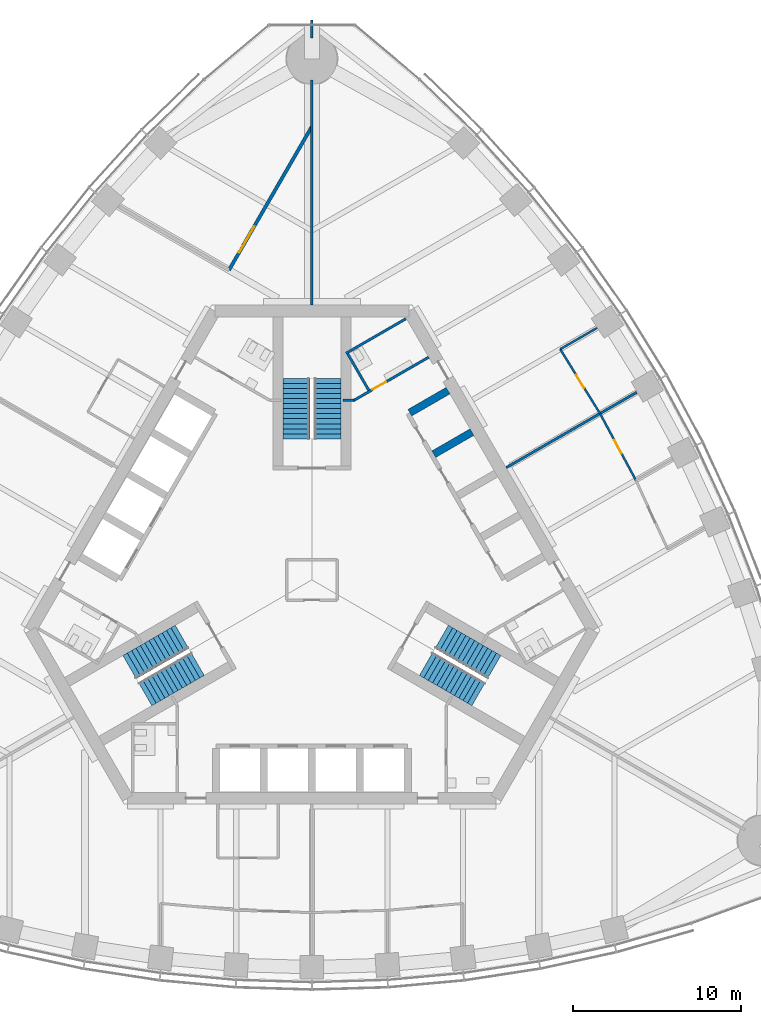
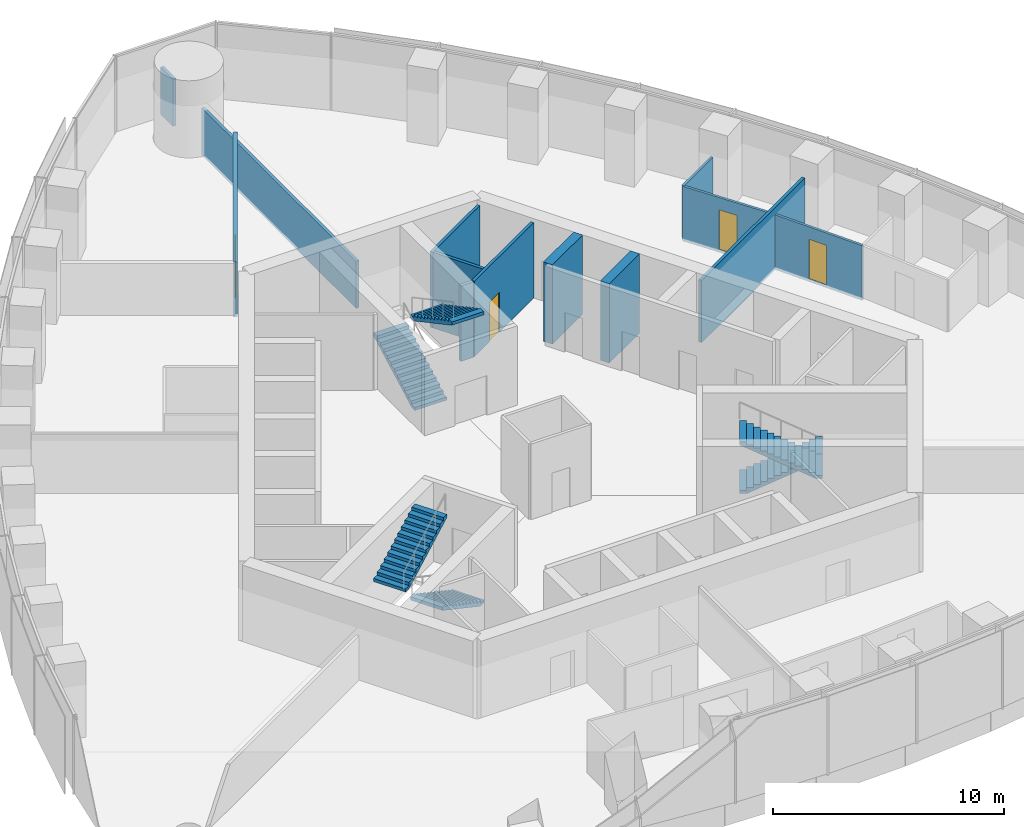
# One storey, part 10 of 15: 13 walls, 6 stair flights, 4 doors, 4 openings, 3 elements without a shape of their own.
"""IFC4 building model written with IfcOpenShell, lengths in metres."""

from ifc_helpers import new_model, si_unit, direction, frame, frame_2d, origin, place, context, subcontext, project, spatial, polyline, rectangle, outline, extrude, material, layer, layer_set, type_object, element, fill, aggregate, save


model = new_model("IFC4")

# Units and contexts
model_context = context("Model", 3, precision=1e-05, world=origin(), true_north=direction((0.0, 1.0)))
body_context = subcontext(model_context, "Body", "Model", "MODEL_VIEW")
ifc_project = project(units=[si_unit("LENGTHUNIT", "METRE"), si_unit("AREAUNIT", "SQUARE_METRE"), si_unit("VOLUMEUNIT", "CUBIC_METRE"), si_unit("PLANEANGLEUNIT", "RADIAN"), si_unit("MASSUNIT", "GRAM", prefix="KILO")], contexts=[model_context])

# Site, building, storey
site_placement = place(None, origin())
site = spatial("IfcSite", under=ifc_project, at=site_placement, CompositionType="ELEMENT")
building_placement = place(site_placement, origin())
building = spatial("IfcBuilding", under=site, at=building_placement, Name="Trefoil Bronze Tower", CompositionType="ELEMENT")
storey_placement = place(building_placement, frame((0.0, 0.0, 288.89990234375)))
storey = spatial("IfcBuildingStorey", under=building, at=storey_placement, Name="L66", CompositionType="ELEMENT", Elevation=288.89990234375)

# Wall, opening, door
ifc_material_1 = material(Name="Gypsum board on steel studs", Category="steel")
ifc_layer_1 = layer(ifc_material_1, 0.199951171875)
ifc_layer_set_1 = layer_set([ifc_layer_1], Name="Acoustic partition 200")
wall_type_1 = type_object("IfcWallType", Name="Acoustic partition 200", PredefinedType="PARTITIONING", material=ifc_layer_set_1)
wall_1_placement = place(storey_placement, frame((-4.9326171875, 18.436279296875, 0.0), z_axis=(0.0, 0.0, 1.0), x_axis=(0.500003655525, 0.866023293256, 0.0)))
wall_1 = element("IfcWall", 1, at=wall_1_placement, inside=storey, type_object=wall_type_1, Name="Partition F3 L66", PredefinedType="PARTITIONING", context=body_context, shape_type="SweptSolid", body=[
    extrude(rectangle(XDim=9.84521484375, YDim=0.199951171875, at=frame_2d((4.922607421875, 0.0))), origin(), (0.0, 0.0, 1.0), 2.900146484375),
])
opening_1_placement = place(wall_1_placement, frame((1.199951171875, 0.0, 0.14990234375)))
opening_1 = element("IfcOpeningElement", 2, at=opening_1_placement, cuts=wall_1, Name="Opening D10", PredefinedType="OPENING", context=body_context, shape_type="SweptSolid", body=[
    extrude(rectangle(XDim=1.800048828125, YDim=2.10009765625, at=frame_2d((0.89990234375, 1.050048828125))), frame((0.0, 0.10986328125, 0.0), z_axis=(0.0, -1.0, 0.0), x_axis=(1.0, 0.0, 0.0)), (0.0, 0.0, 1.0), 0.219970703125),
])
ifc_material_2 = material(Name="Timber door", Category="wood")
door_type_1 = type_object("IfcDoorType", Name="Double door 1800", OperationType="DOUBLE_DOOR_SINGLE_SWING", PredefinedType="DOOR", material=ifc_material_2)
door_1_placement = place(opening_1_placement, origin())
door_1 = element("IfcDoor", 3, at=door_1_placement, inside=storey, type_object=door_type_1, Name="Boardroom door F3 L66", OperationType="DOUBLE_DOOR_SINGLE_SWING", OverallHeight=2.10009765625, OverallWidth=1.800048828125, PredefinedType="DOOR", context=body_context, shape_type="SweptSolid", body=[
    extrude(rectangle(XDim=1.800048828125, YDim=2.10009765625, at=frame_2d((0.89990234375, 1.050048828125))), frame((0.0, 0.02490234375, 0.0), z_axis=(0.0, -1.0, 0.0), x_axis=(1.0, 0.0, 0.0)), (0.0, 0.0, 1.0), 0.050048828125),
])
fill(opening_1, door_1)

ifc_material_3 = material(Name="Glazed partition", Category="glass")
ifc_layer_2 = layer(ifc_material_3, 0.1201171875)
ifc_layer_set_2 = layer_set([ifc_layer_2], Name="Glazed partition 120")
wall_type_2 = type_object("IfcWallType", Name="Glazed partition 120", PredefinedType="PARTITIONING", material=ifc_layer_set_2)
wall_2_placement = place(storey_placement, frame((17.148681640625, 9.90087890625, 0.0), z_axis=(0.0, 0.0, 1.0), x_axis=(-0.525981173851, 0.850496210899, 0.0)))
wall_2 = element("IfcWall", 4, at=wall_2_placement, inside=storey, type_object=wall_type_2, Name="Partition F2 L66", PredefinedType="PARTITIONING", context=body_context, shape_type="SweptSolid", body=[
    extrude(rectangle(XDim=4.501953125, YDim=0.1201171875, at=frame_2d((2.2509765625, 0.0))), origin(), (0.0, 0.0, 1.0), 2.900146484375),
])
opening_2_placement = place(wall_2_placement, frame((1.800048828125, 0.0, 0.14990234375)))
opening_2 = element("IfcOpeningElement", 5, at=opening_2_placement, cuts=wall_2, Name="Opening D8", PredefinedType="OPENING", context=body_context, shape_type="SweptSolid", body=[
    extrude(rectangle(XDim=0.89990234375, YDim=2.10009765625, at=frame_2d((0.449951171875, 1.050048828125))), frame((0.0, 0.070068359375, 0.0), z_axis=(0.0, -1.0, 0.0), x_axis=(1.0, 0.0, 0.0)), (0.0, 0.0, 1.0), 0.14013671875),
])
ifc_material_4 = material(Name="Timber door", Category="wood")
door_type_2 = type_object("IfcDoorType", Name="Office door 900", OperationType="SINGLE_SWING_LEFT", PredefinedType="DOOR", material=ifc_material_4)
door_2_placement = place(opening_2_placement, frame((0.89990234375, 0.0, 0.0), z_axis=(0.0, 0.0, 1.0), x_axis=(-1.0, 0.0, 0.0)))
door_2 = element("IfcDoor", 6, at=door_2_placement, inside=storey, type_object=door_type_2, Name="Office door F2 L66", OperationType="SINGLE_SWING_RIGHT", OverallHeight=2.10009765625, OverallWidth=0.89990234375, PredefinedType="DOOR", context=body_context, shape_type="SweptSolid", body=[
    extrude(rectangle(XDim=0.89990234375, YDim=2.10009765625, at=frame_2d((0.449951171875, 1.050048828125))), frame((0.0, 0.02490234375, 0.0), z_axis=(0.0, -1.0, 0.0), x_axis=(1.0, 0.0, 0.0)), (0.0, 0.0, 1.0), 0.050048828125),
])
fill(opening_2, door_2)

wall_3_placement = place(storey_placement, frame((19.28076171875, 5.935546875, 0.0), z_axis=(0.0, 0.0, 1.0), x_axis=(-0.473566170147, 0.880758242932, 0.0)))
wall_3 = element("IfcWall", 7, at=wall_3_placement, inside=storey, type_object=wall_type_2, Name="Partition F2 L66", PredefinedType="PARTITIONING", context=body_context, shape_type="SweptSolid", body=[
    extrude(rectangle(XDim=4.502197265625, YDim=0.1201171875, at=frame_2d((2.2509765625, 0.0))), origin(), (0.0, 0.0, 1.0), 2.900146484375),
])
opening_3_placement = place(wall_3_placement, frame((1.800048828125, 0.0, 0.14990234375)))
opening_3 = element("IfcOpeningElement", 8, at=opening_3_placement, cuts=wall_3, Name="Opening D8", PredefinedType="OPENING", context=body_context, shape_type="SweptSolid", body=[
    extrude(rectangle(XDim=0.89990234375, YDim=2.10009765625, at=frame_2d((0.449951171875, 1.050048828125))), frame((0.0, 0.070068359375, 0.0), z_axis=(0.0, -1.0, 0.0), x_axis=(1.0, 0.0, 0.0)), (0.0, 0.0, 1.0), 0.14013671875),
])
door_3_placement = place(opening_3_placement, frame((0.89990234375, 0.0, 0.0), z_axis=(0.0, 0.0, 1.0), x_axis=(-1.0, 0.0, 0.0)))
door_3 = element("IfcDoor", 9, at=door_3_placement, inside=storey, type_object=door_type_2, Name="Office door F2 L66", OperationType="SINGLE_SWING_RIGHT", OverallHeight=2.10009765625, OverallWidth=0.89990234375, PredefinedType="DOOR", context=body_context, shape_type="SweptSolid", body=[
    extrude(rectangle(XDim=0.89990234375, YDim=2.10009765625, at=frame_2d((0.449951171875, 1.050048828125))), frame((0.0, 0.02490234375, 0.0), z_axis=(0.0, -1.0, 0.0), x_axis=(1.0, 0.0, 0.0)), (0.0, 0.0, 1.0), 0.050048828125),
])
fill(opening_3, door_3)

# Walls
wall_4_placement = place(storey_placement, frame((14.78076171875, 13.729736328125, 0.0), z_axis=(0.0, 0.0, 1.0), x_axis=(0.866032146685, 0.499988320771, 0.0)))
element("IfcWall", 10, at=wall_4_placement, inside=storey, type_object=wall_type_2, Name="Partition F2 L66", PredefinedType="PARTITIONING", context=body_context, shape_type="SweptSolid", body=[
    extrude(rectangle(XDim=2.51708984375, YDim=0.1201171875, at=frame_2d((1.258544921875, 0.0))), origin(), (0.0, 0.0, 1.0), 2.900146484375),
])
ifc_material_5 = material(Name="Concrete B80", Category="concrete")
ifc_layer_3 = layer(ifc_material_5, 0.449951171875)
ifc_layer_set_3 = layer_set([ifc_layer_3], Name="Outrigger shaft wall 450")
wall_type_3 = type_object("IfcWallType", Name="Outrigger shaft wall 450", PredefinedType="SHEAR", material=ifc_layer_set_3)
for number, where, z_axis, x_axis, name in (
    (11, (7.2568359375, 7.480712890625, 0.0), (0.0, 0.0, 1.0), (0.866036909293, 0.499980071345, 0.0), "Lift shaft side wall B3 L66"),
    (12, (5.831787109375, 9.94873046875, 0.0), (0.0, 0.0, 1.0), (0.866036909293, 0.499980071345, 0.0), "Lift shaft side wall B4 L66"),
):
    element("IfcWall", number, at=place(storey_placement, frame(where, z_axis=z_axis, x_axis=x_axis)), inside=storey, type_object=wall_type_3, Name=name, PredefinedType="SHEAR", context=body_context, shape_type="SweptSolid", body=[
        extrude(rectangle(XDim=2.625, YDim=0.449951171875, at=frame_2d((1.3125, 0.0))), origin(), (0.0, 0.0, 1.0), 4.2001953125),
    ])

# Wall, opening, door
ifc_material_6 = material(Name="Gypsum board on steel studs", Category="steel")
ifc_layer_4 = layer(ifc_material_6, 0.14990234375)
ifc_layer_set_4 = layer_set([ifc_layer_4], Name="Partition 150")
wall_type_4 = type_object("IfcWallType", Name="Partition 150", PredefinedType="PARTITIONING", material=ifc_layer_set_4)
wall_5_placement = place(storey_placement, frame((2.4951171875, 10.67822265625, 0.0), z_axis=(0.0, 0.0, 1.0), x_axis=(0.866037967349, 0.499978238636, 0.0)))
wall_5 = element("IfcWall", 13, at=wall_5_placement, inside=storey, type_object=wall_type_4, Name="Passage wall F2+ L66", PredefinedType="PARTITIONING", context=body_context, shape_type="SweptSolid", body=[
    extrude(rectangle(XDim=5.150146484375, YDim=0.14990234375, at=frame_2d((2.5751953125, 0.0))), origin(), (0.0, 0.0, 1.0), 4.0),
])
opening_4_placement = place(wall_5_placement, frame((1.300048828125, 0.0, 0.0)))
opening_4 = element("IfcOpeningElement", 14, at=opening_4_placement, cuts=wall_5, Name="Opening D3", PredefinedType="OPENING", context=body_context, shape_type="SweptSolid", body=[
    extrude(rectangle(XDim=0.89990234375, YDim=2.10009765625, at=frame_2d((0.449951171875, 1.050048828125))), frame((0.0, 0.0849609375, 0.0), z_axis=(0.0, -1.0, 0.0), x_axis=(1.0, 0.0, 0.0)), (0.0, 0.0, 1.0), 0.169921875),
])
ifc_material_7 = material(Name="Timber door", Category="wood")
door_type_3 = type_object("IfcDoorType", Name="WC door 900", OperationType="SINGLE_SWING_LEFT", PredefinedType="DOOR", material=ifc_material_7)
door_4_placement = place(opening_4_placement, origin())
door_4 = element("IfcDoor", 15, at=door_4_placement, inside=storey, type_object=door_type_3, Name="WC (men) door L66", OperationType="SINGLE_SWING_LEFT", OverallHeight=2.10009765625, OverallWidth=0.89990234375, PredefinedType="DOOR", context=body_context, shape_type="SweptSolid", body=[
    extrude(rectangle(XDim=0.89990234375, YDim=2.10009765625, at=frame_2d((0.449951171875, 1.050048828125))), frame((0.0, 0.02490234375, 0.0), z_axis=(0.0, -1.0, 0.0), x_axis=(1.0, 0.0, 0.0)), (0.0, 0.0, 1.0), 0.050048828125),
])
fill(opening_4, door_4)

# Walls
wall_6_placement = place(storey_placement, frame((2.4951171875, 10.67822265625, 0.0), z_axis=(0.0, 0.0, 1.0), x_axis=(-1.0, 0.0, 0.0)))
element("IfcWall", 16, at=wall_6_placement, inside=storey, type_object=wall_type_4, Name="WC wall ST2-1 L66", PredefinedType="PARTITIONING", context=body_context, shape_type="SweptSolid", body=[
    extrude(rectangle(XDim=0.64501953125, YDim=0.14990234375, at=frame_2d((0.322509765625, 0.0))), origin(), (0.0, 0.0, 1.0), 4.0),
])
wall_7_placement = place(storey_placement, frame((2.03125, 13.48193359375, 0.0), z_axis=(0.0, 0.0, 1.0), x_axis=(0.866050731258, 0.499956128963, 0.0)))
element("IfcWall", 17, at=wall_7_placement, inside=storey, type_object=wall_type_4, Name="WC partition WC (men) L66", PredefinedType="PARTITIONING", context=body_context, shape_type="SweptSolid", body=[
    extrude(rectangle(XDim=4.099853515625, YDim=0.14990234375, at=frame_2d((2.0498046875, 0.0))), origin(), (0.0, 0.0, 1.0), 4.0),
])
wall_8_placement = place(storey_placement, frame((3.388671875, 11.28076171875, 0.0), z_axis=(0.0, 0.0, 1.0), x_axis=(-0.499989096993, 0.866031698547, 0.0)))
element("IfcWall", 18, at=wall_8_placement, inside=storey, type_object=wall_type_4, Name="WC partition WC (men) L66", PredefinedType="PARTITIONING", context=body_context, shape_type="SweptSolid", body=[
    extrude(rectangle(XDim=2.509765625, YDim=0.14990234375, at=frame_2d((1.2548828125, 0.0))), origin(), (0.0, 0.0, 1.0), 4.0),
])
ifc_material_8 = material(Name="Gypsum board on steel studs", Category="steel")
ifc_layer_5 = layer(ifc_material_8, 0.14990234375)
ifc_layer_set_5 = layer_set([ifc_layer_5], Name="Party wall 150")
wall_type_5 = type_object("IfcWallType", Name="Party wall 150", PredefinedType="PARTITIONING", material=ifc_layer_set_5)
wall_9_placement = place(storey_placement, frame((0.0, 16.35009765625, 0.0), z_axis=(0.0, 0.0, 1.0), x_axis=(0.0, 1.0, 0.0)))
element("IfcWall", 19, at=wall_9_placement, inside=storey, type_object=wall_type_5, Name="Party wall K2 L66", PredefinedType="PARTITIONING", context=body_context, shape_type="SweptSolid", body=[
    extrude(rectangle(XDim=13.39990234375, YDim=0.14990234375, at=frame_2d((6.699951171875, 0.0))), origin(), (0.0, 0.0, 1.0), 2.5),
])
wall_10_placement = place(storey_placement, frame((0.0, 32.25, 0.0), z_axis=(0.0, 0.0, 1.0), x_axis=(0.0, 1.0, 0.0)))
element("IfcWall", 20, at=wall_10_placement, inside=storey, type_object=wall_type_5, Name="Party wall K2 L66", PredefinedType="PARTITIONING", context=body_context, shape_type="SweptSolid", body=[
    extrude(rectangle(XDim=1.06982421875, YDim=0.14990234375, at=frame_2d((0.534912109375, 0.0))), origin(), (0.0, 0.0, 1.0), 2.5),
])
wall_11_placement = place(storey_placement, frame((11.570068359375, 6.679931640625, 0.0), z_axis=(0.0, 0.0, 1.0), x_axis=(0.866018180823, 0.500012510328, 0.0)))
element("IfcWall", 21, at=wall_11_placement, inside=storey, type_object=wall_type_5, Name="Demising wall F2 L66", PredefinedType="PARTITIONING", context=body_context, shape_type="SweptSolid", body=[
    extrude(rectangle(XDim=8.961669921875, YDim=0.14990234375, at=frame_2d((4.48095703125, 0.0))), origin(), (0.0, 0.0, 1.0), 3.300048828125),
])

# Stair, stair flights
ifc_material_9 = material(Name="Precast concrete B80", Category="concrete")
stair_type = type_object("IfcStairType", Name="Exit stair 26 risers", PredefinedType="HALF_TURN_STAIR", material=ifc_material_9)
stair_1_placement = place(storey_placement, origin())
stair_1 = element("IfcStair", 22, at=stair_1_placement, inside=storey, type_object=stair_type, Name="Stair ST1 L66", PredefinedType="HALF_TURN_STAIR")
ifc_material_10 = material(Name="Precast concrete B80", Category="concrete")
stair_flight_type = type_object("IfcStairFlightType", Name="Stair flight 1600", PredefinedType="STRAIGHT", material=ifc_material_10)
stair_flight_1_placement = place(storey_placement, frame((7.728515625, -3.39404296875, 0.0), z_axis=(0.0, 0.0, 1.0), x_axis=(0.866025403784, -0.5, 0.0)))
stair_flight_1 = element("IfcStairFlight", 23, at=stair_flight_1_placement, type_object=stair_flight_type, Name="ST1 flight 1", NumberOfRisers=13, NumberOfTreads=12, PredefinedType="STRAIGHT", RiserHeight=0.161538462, TreadLength=0.3, context=body_context, shape_type="SweptSolid", body=[
    extrude(outline(polyline([(0.0, 0.0), (0.0, 0.16162109375), (0.300048828125, 0.16162109375), (0.300048828125, 0.322998046875), (0.60009765625, 0.322998046875), (0.60009765625, 0.484619140625), (0.89990234375, 0.484619140625), (0.89990234375, 0.646240234375), (1.199951171875, 0.646240234375), (1.199951171875, 0.8076171875), (1.5, 0.8076171875), (1.5, 0.96923828125), (1.800048828125, 0.96923828125), (1.800048828125, 1.130859375), (2.10009765625, 1.130859375), (2.10009765625, 1.292236328125), (2.39990234375, 1.292236328125), (2.39990234375, 1.453857421875), (2.699951171875, 1.453857421875), (2.699951171875, 1.615478515625), (3.0, 1.615478515625), (3.0, 1.77685546875), (3.300048828125, 1.77685546875), (3.300048828125, 1.9384765625), (3.60009765625, 1.9384765625), (3.60009765625, 2.10009765625), (3.60009765625, 1.768310546875), (0.316162109375, 0.0), (0.0, 0.0)])), frame((0.0, 0.800048828125, 0.0), z_axis=(0.0, -1.0, 0.0), x_axis=(1.0, 0.0, 0.0)), (0.0, 0.0, 1.0), 1.60009765625),
])
stair_flight_2_placement = place(storey_placement, frame((9.921142578125, -6.796142578125, 2.10009765625), z_axis=(0.0, 0.0, 1.0), x_axis=(-0.866025403784, 0.5, 0.0)))
stair_flight_2 = element("IfcStairFlight", 24, at=stair_flight_2_placement, type_object=stair_flight_type, Name="ST1 flight 2", NumberOfRisers=13, NumberOfTreads=12, PredefinedType="STRAIGHT", RiserHeight=0.161538462, TreadLength=0.3, context=body_context, shape_type="SweptSolid", body=[
    extrude(outline(polyline([(0.0, 0.0), (0.0, 0.16162109375), (0.300048828125, 0.16162109375), (0.300048828125, 0.322998046875), (0.60009765625, 0.322998046875), (0.60009765625, 0.484619140625), (0.89990234375, 0.484619140625), (0.89990234375, 0.646240234375), (1.199951171875, 0.646240234375), (1.199951171875, 0.8076171875), (1.5, 0.8076171875), (1.5, 0.96923828125), (1.800048828125, 0.96923828125), (1.800048828125, 1.130859375), (2.10009765625, 1.130859375), (2.10009765625, 1.292236328125), (2.39990234375, 1.292236328125), (2.39990234375, 1.453857421875), (2.699951171875, 1.453857421875), (2.699951171875, 1.615478515625), (3.0, 1.615478515625), (3.0, 1.77685546875), (3.300048828125, 1.77685546875), (3.300048828125, 1.9384765625), (3.60009765625, 1.9384765625), (3.60009765625, 2.10009765625), (3.60009765625, 1.768310546875), (0.316162109375, 0.0), (0.0, 0.0)])), frame((0.0, 0.800048828125, 0.0), z_axis=(0.0, -1.0, 0.0), x_axis=(1.0, 0.0, 0.0)), (0.0, 0.0, 1.0), 1.60009765625),
])
aggregate(stair_1, [stair_flight_1, stair_flight_2])

stair_2_placement = place(storey_placement, origin())
stair_2 = element("IfcStair", 25, at=stair_2_placement, inside=storey, type_object=stair_type, Name="Stair ST2 L66", PredefinedType="HALF_TURN_STAIR")
stair_flight_3_placement = place(storey_placement, frame((-0.925048828125, 8.389892578125, 0.0), z_axis=(0.0, 0.0, 1.0), x_axis=(0.0, 1.0, 0.0)))
stair_flight_3 = element("IfcStairFlight", 26, at=stair_flight_3_placement, type_object=stair_flight_type, Name="ST2 flight 1", NumberOfRisers=13, NumberOfTreads=12, PredefinedType="STRAIGHT", RiserHeight=0.161538462, TreadLength=0.3, context=body_context, shape_type="SweptSolid", body=[
    extrude(outline(polyline([(0.0, 0.0), (0.0, 0.16162109375), (0.300048828125, 0.16162109375), (0.300048828125, 0.322998046875), (0.60009765625, 0.322998046875), (0.60009765625, 0.484619140625), (0.89990234375, 0.484619140625), (0.89990234375, 0.646240234375), (1.199951171875, 0.646240234375), (1.199951171875, 0.8076171875), (1.5, 0.8076171875), (1.5, 0.96923828125), (1.800048828125, 0.96923828125), (1.800048828125, 1.130859375), (2.10009765625, 1.130859375), (2.10009765625, 1.292236328125), (2.39990234375, 1.292236328125), (2.39990234375, 1.453857421875), (2.699951171875, 1.453857421875), (2.699951171875, 1.615478515625), (3.0, 1.615478515625), (3.0, 1.77685546875), (3.300048828125, 1.77685546875), (3.300048828125, 1.9384765625), (3.60009765625, 1.9384765625), (3.60009765625, 2.10009765625), (3.60009765625, 1.768310546875), (0.316162109375, 0.0), (0.0, 0.0)])), frame((0.0, 0.800048828125, 0.0), z_axis=(0.0, -1.0, 0.0), x_axis=(1.0, 0.0, 0.0)), (0.0, 0.0, 1.0), 1.60009765625),
])
stair_flight_4_placement = place(storey_placement, frame((0.925048828125, 11.989990234375, 2.10009765625), z_axis=(0.0, 0.0, 1.0), x_axis=(0.0, -1.0, 0.0)))
stair_flight_4 = element("IfcStairFlight", 27, at=stair_flight_4_placement, type_object=stair_flight_type, Name="ST2 flight 2", NumberOfRisers=13, NumberOfTreads=12, PredefinedType="STRAIGHT", RiserHeight=0.161538462, TreadLength=0.3, context=body_context, shape_type="SweptSolid", body=[
    extrude(outline(polyline([(0.0, 0.0), (0.0, 0.16162109375), (0.300048828125, 0.16162109375), (0.300048828125, 0.322998046875), (0.60009765625, 0.322998046875), (0.60009765625, 0.484619140625), (0.89990234375, 0.484619140625), (0.89990234375, 0.646240234375), (1.199951171875, 0.646240234375), (1.199951171875, 0.8076171875), (1.5, 0.8076171875), (1.5, 0.96923828125), (1.800048828125, 0.96923828125), (1.800048828125, 1.130859375), (2.10009765625, 1.130859375), (2.10009765625, 1.292236328125), (2.39990234375, 1.292236328125), (2.39990234375, 1.453857421875), (2.699951171875, 1.453857421875), (2.699951171875, 1.615478515625), (3.0, 1.615478515625), (3.0, 1.77685546875), (3.300048828125, 1.77685546875), (3.300048828125, 1.9384765625), (3.60009765625, 1.9384765625), (3.60009765625, 2.10009765625), (3.60009765625, 1.768310546875), (0.316162109375, 0.0), (0.0, 0.0)])), frame((0.0, 0.800048828125, 0.0), z_axis=(0.0, -1.0, 0.0), x_axis=(1.0, 0.0, 0.0)), (0.0, 0.0, 1.0), 1.60009765625),
])
aggregate(stair_2, [stair_flight_3, stair_flight_4])

stair_3_placement = place(storey_placement, origin())
stair_3 = element("IfcStair", 28, at=stair_3_placement, inside=storey, type_object=stair_type, Name="Stair ST3 L66", PredefinedType="HALF_TURN_STAIR")
stair_flight_5_placement = place(storey_placement, frame((-6.803466796875, -4.99609375, 0.0), z_axis=(0.0, 0.0, 1.0), x_axis=(-0.866025403784, -0.5, 0.0)))
stair_flight_5 = element("IfcStairFlight", 29, at=stair_flight_5_placement, type_object=stair_flight_type, Name="ST3 flight 1", NumberOfRisers=13, NumberOfTreads=12, PredefinedType="STRAIGHT", RiserHeight=0.161538462, TreadLength=0.3, context=body_context, shape_type="SweptSolid", body=[
    extrude(outline(polyline([(0.0, 0.0), (0.0, 0.16162109375), (0.300048828125, 0.16162109375), (0.300048828125, 0.322998046875), (0.60009765625, 0.322998046875), (0.60009765625, 0.484619140625), (0.89990234375, 0.484619140625), (0.89990234375, 0.646240234375), (1.199951171875, 0.646240234375), (1.199951171875, 0.8076171875), (1.5, 0.8076171875), (1.5, 0.96923828125), (1.800048828125, 0.96923828125), (1.800048828125, 1.130859375), (2.10009765625, 1.130859375), (2.10009765625, 1.292236328125), (2.39990234375, 1.292236328125), (2.39990234375, 1.453857421875), (2.699951171875, 1.453857421875), (2.699951171875, 1.615478515625), (3.0, 1.615478515625), (3.0, 1.77685546875), (3.300048828125, 1.77685546875), (3.300048828125, 1.9384765625), (3.60009765625, 1.9384765625), (3.60009765625, 2.10009765625), (3.60009765625, 1.768310546875), (0.316162109375, 0.0), (0.0, 0.0)])), frame((0.0, 0.800048828125, 0.0), z_axis=(0.0, -1.0, 0.0), x_axis=(1.0, 0.0, 0.0)), (0.0, 0.0, 1.0), 1.60009765625),
])
stair_flight_6_placement = place(storey_placement, frame((-10.84619140625, -5.19384765625, 2.10009765625), z_axis=(0.0, 0.0, 1.0), x_axis=(0.866025403784, 0.5, 0.0)))
stair_flight_6 = element("IfcStairFlight", 30, at=stair_flight_6_placement, type_object=stair_flight_type, Name="ST3 flight 2", NumberOfRisers=13, NumberOfTreads=12, PredefinedType="STRAIGHT", RiserHeight=0.161538462, TreadLength=0.3, context=body_context, shape_type="SweptSolid", body=[
    extrude(outline(polyline([(0.0, 0.0), (0.0, 0.16162109375), (0.300048828125, 0.16162109375), (0.300048828125, 0.322998046875), (0.60009765625, 0.322998046875), (0.60009765625, 0.484619140625), (0.89990234375, 0.484619140625), (0.89990234375, 0.646240234375), (1.199951171875, 0.646240234375), (1.199951171875, 0.8076171875), (1.5, 0.8076171875), (1.5, 0.96923828125), (1.800048828125, 0.96923828125), (1.800048828125, 1.130859375), (2.10009765625, 1.130859375), (2.10009765625, 1.292236328125), (2.39990234375, 1.292236328125), (2.39990234375, 1.453857421875), (2.699951171875, 1.453857421875), (2.699951171875, 1.615478515625), (3.0, 1.615478515625), (3.0, 1.77685546875), (3.300048828125, 1.77685546875), (3.300048828125, 1.9384765625), (3.60009765625, 1.9384765625), (3.60009765625, 2.10009765625), (3.60009765625, 1.768310546875), (0.316162109375, 0.0), (0.0, 0.0)])), frame((0.0, 0.800048828125, 0.0), z_axis=(0.0, -1.0, 0.0), x_axis=(1.0, 0.0, 0.0)), (0.0, 0.0, 1.0), 1.60009765625),
])
aggregate(stair_3, [stair_flight_5, stair_flight_6])

save(model, "model.ifc")
